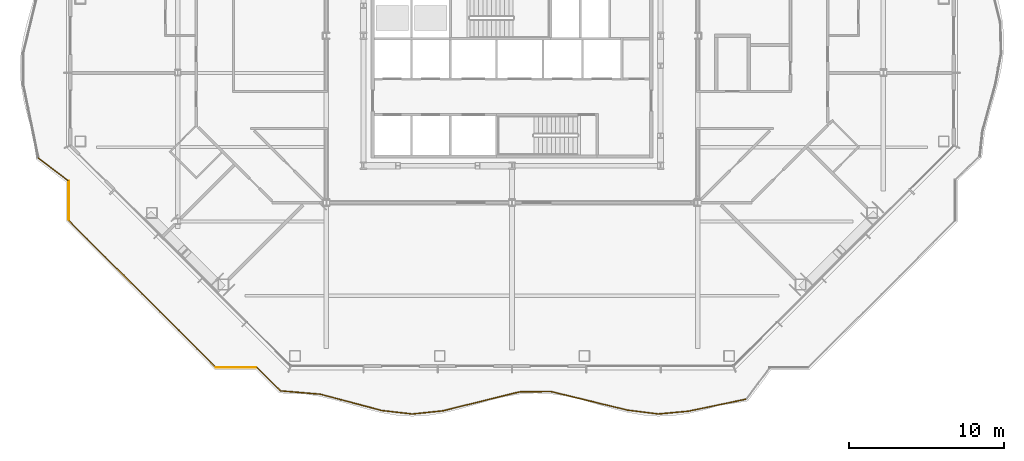
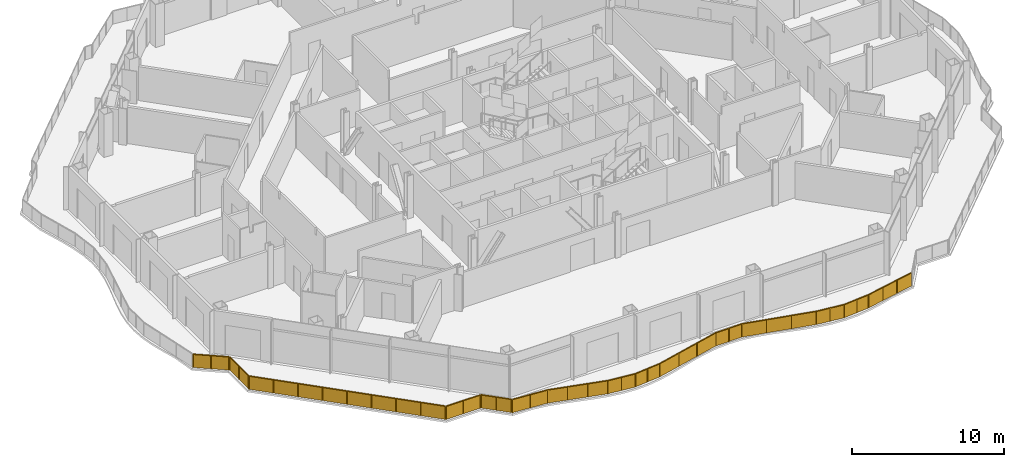
# One storey, part 17 of 24: 6 railings.
"""IFC4 building model written with IfcOpenShell, lengths in metres."""

from ifc_helpers import new_model, si_unit, direction, frame, origin, origin_2d, place, context, subcontext, project, spatial, polyline, rectangle, outline, extrude, material, type_object, element, save


model = new_model("IFC4")

# Units and contexts
model_context = context("Model", 3, precision=1e-05, world=origin(), true_north=direction((0.0, 1.0)))
body_context = subcontext(model_context, "Body", "Model", "MODEL_VIEW")
ifc_project = project(units=[si_unit("LENGTHUNIT", "METRE"), si_unit("AREAUNIT", "SQUARE_METRE"), si_unit("VOLUMEUNIT", "CUBIC_METRE"), si_unit("PLANEANGLEUNIT", "RADIAN"), si_unit("MASSUNIT", "GRAM", prefix="KILO")], contexts=[model_context])

# Site, building, storey
site_placement = place(None, origin())
site = spatial("IfcSite", under=ifc_project, at=site_placement, CompositionType="ELEMENT")
building_placement = place(site_placement, origin())
building = spatial("IfcBuilding", under=site, at=building_placement, Name="Cairn Pilgrim Tower", CompositionType="ELEMENT")
storey_placement = place(building_placement, frame((0.0, 0.0, 125.39990234375)))
storey = spatial("IfcBuildingStorey", under=building, at=storey_placement, Name="L30", CompositionType="ELEMENT", Elevation=125.39990234375)

# Railings
ifc_material = material(Name="Bronze anodised aluminium rail and posts with laminated glass infill", Category="aluminium")
railing_type = type_object("IfcRailingType", Name="BALCONY GUARD 1100", PredefinedType="GUARDRAIL", material=ifc_material)
railing_1_placement = place(storey_placement, frame((-23.402099609375, -5.51708984375, 0.0)))
element("IfcRailing", 1, at=railing_1_placement, inside=storey, type_object=railing_type, Name="Balcony guard BG-19", PredefinedType="GUARDRAIL", context=body_context, shape_type="SweptSolid", body=[
    extrude(rectangle(XDim=0.050048828125, YDim=0.050048828125, at=origin_2d()), frame((0.0, 0.0, 1.0751953125), z_axis=(0.796408067553, -0.604759613348, 0.0), x_axis=(0.604759613348, 0.796408067553, 0.0)), (0.0, 0.0, 1.0), 2.39111328125),
    extrude(rectangle(XDim=0.050048828125, YDim=0.050048828125, at=origin_2d()), origin(), (0.0, 0.0, 1.0), 1.050048828125),
    extrude(rectangle(XDim=0.050048828125, YDim=0.050048828125, at=origin_2d()), frame((0.9521484375, -0.722900390625, 0.0)), (0.0, 0.0, 1.0), 1.050048828125),
    extrude(rectangle(XDim=0.050048828125, YDim=0.050048828125, at=origin_2d()), frame((1.904296875, -1.446044921875, 0.0)), (0.0, 0.0, 1.0), 1.050048828125),
    extrude(outline(polyline([(0.02490234375, 0.0), (1.17041015625, 0.0), (1.17041015625, 1.050048828125), (0.02490234375, 1.050048828125), (0.02490234375, 0.0)])), frame((0.003662109375, 0.0048828125, 0.0), z_axis=(-0.604759613348, -0.796408067553, 0.0), x_axis=(0.796408067553, -0.604759613348, 0.0)), (0.0, 0.0, 1.0), 0.011962890625),
    extrude(outline(polyline([(0.02490234375, 0.0), (1.17041015625, 0.0), (1.17041015625, 1.050048828125), (0.02490234375, 1.050048828125), (0.02490234375, 0.0)])), frame((0.955810546875, -0.71826171875, 0.0), z_axis=(-0.604759613348, -0.796408067553, 0.0), x_axis=(0.796408067553, -0.604759613348, 0.0)), (0.0, 0.0, 1.0), 0.011962890625),
])
railing_2_placement = place(storey_placement, frame((-21.449951171875, -6.99951171875, 0.0)))
element("IfcRailing", 2, at=railing_2_placement, inside=storey, type_object=railing_type, Name="Balcony guard BG-20", PredefinedType="GUARDRAIL", context=body_context, shape_type="SweptSolid", body=[
    extrude(rectangle(XDim=0.050048828125, YDim=0.050048828125, at=origin_2d()), frame((0.0, 0.0, 1.0751953125), z_axis=(0.0, -1.0, 0.0), x_axis=(1.0, 0.0, 0.0)), (0.0, 0.0, 1.0), 2.478271484375),
    extrude(rectangle(XDim=0.050048828125, YDim=0.050048828125, at=origin_2d()), origin(), (0.0, 0.0, 1.0), 1.050048828125),
    extrude(rectangle(XDim=0.050048828125, YDim=0.050048828125, at=origin_2d()), frame((0.0, -1.2392578125, 0.0)), (0.0, 0.0, 1.0), 1.050048828125),
    extrude(rectangle(XDim=0.050048828125, YDim=0.050048828125, at=origin_2d()), frame((0.0, -2.478271484375, 0.0)), (0.0, 0.0, 1.0), 1.050048828125),
    extrude(outline(polyline([(0.02490234375, 0.0), (1.214111328125, 0.0), (1.214111328125, 1.050048828125), (0.02490234375, 1.050048828125), (0.02490234375, 0.0)])), frame((0.005859375, 0.0, 0.0), z_axis=(-1.0, 0.0, 0.0), x_axis=(0.0, -1.0, 0.0)), (0.0, 0.0, 1.0), 0.011962890625),
    extrude(outline(polyline([(0.02490234375, 0.0), (1.214111328125, 0.0), (1.214111328125, 1.050048828125), (0.02490234375, 1.050048828125), (0.02490234375, 0.0)])), frame((0.005859375, -1.2392578125, 0.0), z_axis=(-1.0, 0.0, 0.0), x_axis=(0.0, -1.0, 0.0)), (0.0, 0.0, 1.0), 0.011962890625),
])
railing_3_placement = place(storey_placement, frame((-21.449951171875, -9.537841796875, 0.0)))
element("IfcRailing", 3, at=railing_3_placement, inside=storey, type_object=railing_type, Name="Balcony guard BG-21", PredefinedType="GUARDRAIL", context=body_context, shape_type="SweptSolid", body=[
    extrude(rectangle(XDim=0.050048828125, YDim=0.050048828125, at=origin_2d()), frame((0.0, 0.0, 1.0751953125), z_axis=(0.707106781187, -0.707106781187, 0.0), x_axis=(0.707106781187, 0.707106781187, 0.0)), (0.0, 0.0, 1.0), 13.392333984375),
    extrude(rectangle(XDim=0.050048828125, YDim=0.050048828125, at=origin_2d()), origin(), (0.0, 0.0, 1.0), 1.050048828125),
    extrude(rectangle(XDim=0.050048828125, YDim=0.050048828125, at=origin_2d()), frame((1.18359375, -1.18359375, 0.0)), (0.0, 0.0, 1.0), 1.050048828125),
    extrude(rectangle(XDim=0.050048828125, YDim=0.050048828125, at=origin_2d()), frame((2.367431640625, -2.367431640625, 0.0)), (0.0, 0.0, 1.0), 1.050048828125),
    extrude(rectangle(XDim=0.050048828125, YDim=0.050048828125, at=origin_2d()), frame((3.55126953125, -3.55126953125, 0.0)), (0.0, 0.0, 1.0), 1.050048828125),
    extrude(rectangle(XDim=0.050048828125, YDim=0.050048828125, at=origin_2d()), frame((4.73486328125, -4.73486328125, 0.0)), (0.0, 0.0, 1.0), 1.050048828125),
    extrude(rectangle(XDim=0.050048828125, YDim=0.050048828125, at=origin_2d()), frame((5.91845703125, -5.91845703125, 0.0)), (0.0, 0.0, 1.0), 1.050048828125),
    extrude(rectangle(XDim=0.050048828125, YDim=0.050048828125, at=origin_2d()), frame((7.102294921875, -7.102294921875, 0.0)), (0.0, 0.0, 1.0), 1.050048828125),
    extrude(rectangle(XDim=0.050048828125, YDim=0.050048828125, at=origin_2d()), frame((8.2861328125, -8.2861328125, 0.0)), (0.0, 0.0, 1.0), 1.050048828125),
    extrude(rectangle(XDim=0.050048828125, YDim=0.050048828125, at=origin_2d()), frame((9.4697265625, -9.4697265625, 0.0)), (0.0, 0.0, 1.0), 1.050048828125),
    extrude(outline(polyline([(0.02490234375, 0.0), (1.64892578125, 0.0), (1.64892578125, 1.050048828125), (0.02490234375, 1.050048828125), (0.02490234375, 0.0)])), frame((0.004150390625, 0.004150390625, 0.0), z_axis=(-0.707106781187, -0.707106781187, 0.0), x_axis=(0.707106781187, -0.707106781187, 0.0)), (0.0, 0.0, 1.0), 0.011962890625),
    extrude(outline(polyline([(0.02490234375, 0.0), (1.64892578125, 0.0), (1.64892578125, 1.050048828125), (0.02490234375, 1.050048828125), (0.02490234375, 0.0)])), frame((1.18798828125, -1.179443359375, 0.0), z_axis=(-0.707106781187, -0.707106781187, 0.0), x_axis=(0.707106781187, -0.707106781187, 0.0)), (0.0, 0.0, 1.0), 0.011962890625),
    extrude(outline(polyline([(0.02490234375, 0.0), (1.64892578125, 0.0), (1.64892578125, 1.050048828125), (0.02490234375, 1.050048828125), (0.02490234375, 0.0)])), frame((2.37158203125, -2.36328125, 0.0), z_axis=(-0.707106781187, -0.707106781187, 0.0), x_axis=(0.707106781187, -0.707106781187, 0.0)), (0.0, 0.0, 1.0), 0.011962890625),
    extrude(outline(polyline([(0.02490234375, 0.0), (1.64892578125, 0.0), (1.64892578125, 1.050048828125), (0.02490234375, 1.050048828125), (0.02490234375, 0.0)])), frame((3.555419921875, -3.546875, 0.0), z_axis=(-0.707106781187, -0.707106781187, 0.0), x_axis=(0.707106781187, -0.707106781187, 0.0)), (0.0, 0.0, 1.0), 0.011962890625),
    extrude(outline(polyline([(0.02490234375, 0.0), (1.64892578125, 0.0), (1.64892578125, 1.050048828125), (0.02490234375, 1.050048828125), (0.02490234375, 0.0)])), frame((4.739013671875, -4.730712890625, 0.0), z_axis=(-0.707106781187, -0.707106781187, 0.0), x_axis=(0.707106781187, -0.707106781187, 0.0)), (0.0, 0.0, 1.0), 0.011962890625),
    extrude(outline(polyline([(0.02490234375, 0.0), (1.64892578125, 0.0), (1.64892578125, 1.050048828125), (0.02490234375, 1.050048828125), (0.02490234375, 0.0)])), frame((5.9228515625, -5.914306640625, 0.0), z_axis=(-0.707106781187, -0.707106781187, 0.0), x_axis=(0.707106781187, -0.707106781187, 0.0)), (0.0, 0.0, 1.0), 0.011962890625),
    extrude(outline(polyline([(0.02490234375, 0.0), (1.64892578125, 0.0), (1.64892578125, 1.050048828125), (0.02490234375, 1.050048828125), (0.02490234375, 0.0)])), frame((7.1064453125, -7.09814453125, 0.0), z_axis=(-0.707106781187, -0.707106781187, 0.0), x_axis=(0.707106781187, -0.707106781187, 0.0)), (0.0, 0.0, 1.0), 0.011962890625),
    extrude(outline(polyline([(0.02490234375, 0.0), (1.64892578125, 0.0), (1.64892578125, 1.050048828125), (0.02490234375, 1.050048828125), (0.02490234375, 0.0)])), frame((8.290283203125, -8.28173828125, 0.0), z_axis=(-0.707106781187, -0.707106781187, 0.0), x_axis=(0.707106781187, -0.707106781187, 0.0)), (0.0, 0.0, 1.0), 0.011962890625),
])
railing_4_placement = place(storey_placement, frame((-11.93798828125, -19.050048828125, 0.0)))
element("IfcRailing", 4, at=railing_4_placement, inside=storey, type_object=railing_type, Name="Balcony guard BG-22", PredefinedType="GUARDRAIL", context=body_context, shape_type="SweptSolid", body=[
    extrude(rectangle(XDim=0.050048828125, YDim=0.050048828125, at=origin_2d()), frame((0.0, 0.0, 1.0751953125), z_axis=(1.0, 0.0, 0.0), x_axis=(0.0, 1.0, 0.0)), (0.0, 0.0, 1.0), 2.596923828125),
    extrude(rectangle(XDim=0.050048828125, YDim=0.050048828125, at=origin_2d()), origin(), (0.0, 0.0, 1.0), 1.050048828125),
    extrude(rectangle(XDim=0.050048828125, YDim=0.050048828125, at=origin_2d()), frame((1.29833984375, 0.0, 0.0)), (0.0, 0.0, 1.0), 1.050048828125),
    extrude(rectangle(XDim=0.050048828125, YDim=0.050048828125, at=origin_2d()), frame((2.596923828125, 0.0, 0.0)), (0.0, 0.0, 1.0), 1.050048828125),
    extrude(outline(polyline([(0.02490234375, 0.0), (1.2734375, 0.0), (1.2734375, 1.050048828125), (0.02490234375, 1.050048828125), (0.02490234375, 0.0)])), frame((0.0, 0.005859375, 0.0), z_axis=(0.0, -1.0, 0.0), x_axis=(1.0, 0.0, 0.0)), (0.0, 0.0, 1.0), 0.011962890625),
    extrude(outline(polyline([(0.02490234375, 0.0), (1.2734375, 0.0), (1.2734375, 1.050048828125), (0.02490234375, 1.050048828125), (0.02490234375, 0.0)])), frame((1.29833984375, 0.005859375, 0.0), z_axis=(0.0, -1.0, 0.0), x_axis=(1.0, 0.0, 0.0)), (0.0, 0.0, 1.0), 0.011962890625),
])
railing_5_placement = place(storey_placement, frame((-9.28125, -19.050048828125, 0.0)))
element("IfcRailing", 5, at=railing_5_placement, inside=storey, type_object=railing_type, Name="Balcony guard BG-23", PredefinedType="GUARDRAIL", context=body_context, shape_type="SweptSolid", body=[
    extrude(rectangle(XDim=0.050048828125, YDim=0.050048828125, at=origin_2d()), frame((0.0, 0.0, 1.0751953125), z_axis=(0.712126914152, -0.702050751826, 0.0), x_axis=(0.702050751826, 0.712126914152, 0.0)), (0.0, 0.0, 1.0), 2.083740234375),
    extrude(rectangle(XDim=0.050048828125, YDim=0.050048828125, at=origin_2d()), origin(), (0.0, 0.0, 1.0), 1.050048828125),
    extrude(rectangle(XDim=0.050048828125, YDim=0.050048828125, at=origin_2d()), frame((0.741943359375, -0.7314453125, 0.0)), (0.0, 0.0, 1.0), 1.050048828125),
    extrude(rectangle(XDim=0.050048828125, YDim=0.050048828125, at=origin_2d()), frame((1.48388671875, -1.462890625, 0.0)), (0.0, 0.0, 1.0), 1.050048828125),
    extrude(outline(polyline([(0.02490234375, 0.0), (1.016845703125, 0.0), (1.016845703125, 1.050048828125), (0.02490234375, 1.050048828125), (0.02490234375, 0.0)])), frame((0.004150390625, 0.004150390625, 0.0), z_axis=(-0.702050751826, -0.712126914152, 0.0), x_axis=(0.712126914152, -0.702050751826, 0.0)), (0.0, 0.0, 1.0), 0.011962890625),
    extrude(outline(polyline([(0.02490234375, 0.0), (1.016845703125, 0.0), (1.016845703125, 1.050048828125), (0.02490234375, 1.050048828125), (0.02490234375, 0.0)])), frame((0.74609375, -0.727294921875, 0.0), z_axis=(-0.702050751826, -0.712126914152, 0.0), x_axis=(0.712126914152, -0.702050751826, 0.0)), (0.0, 0.0, 1.0), 0.011962890625),
])
railing_6_placement = place(storey_placement, frame((-7.754638671875, -20.554931640625, 0.0)))
element("IfcRailing", 6, at=railing_6_placement, inside=storey, type_object=railing_type, Name="Balcony guard BG-24", PredefinedType="GUARDRAIL", context=body_context, shape_type="SweptSolid", body=[
    extrude(rectangle(XDim=0.050048828125, YDim=0.050048828125, at=origin_2d()), frame((0.0, 0.0, 1.0751953125), z_axis=(0.996561431865, -0.082857181455, 0.0), x_axis=(0.082857181455, 0.996561431865, 0.0)), (0.0, 0.0, 1.0), 2.5751953125),
    extrude(rectangle(XDim=0.050048828125, YDim=0.050048828125, at=origin_2d()), frame((2.56640625, -0.21337890625, 1.0751953125), z_axis=(0.966494562134, -0.256687088426, 0.0), x_axis=(0.256687088426, 0.966494562134, 0.0)), (0.0, 0.0, 1.0), 4.112548828125),
    extrude(rectangle(XDim=0.050048828125, YDim=0.050048828125, at=origin_2d()), frame((6.541259765625, -1.26904296875, 1.0751953125), z_axis=(0.993477082591, -0.114031953273, 0.0), x_axis=(0.114031953273, 0.993477082591, 0.0)), (0.0, 0.0, 1.0), 1.971923828125),
    extrude(rectangle(XDim=0.050048828125, YDim=0.050048828125, at=origin_2d()), frame((8.500244140625, -1.493896484375, 1.0751953125), z_axis=(0.994709274099, 0.102730034662, 0.0), x_axis=(-0.102730034662, 0.994709274099, 0.0)), (0.0, 0.0, 1.0), 1.97021484375),
    extrude(rectangle(XDim=0.050048828125, YDim=0.050048828125, at=origin_2d()), frame((10.4599609375, -1.29150390625, 1.0751953125), z_axis=(0.970883835354, 0.23955078428, 0.0), x_axis=(-0.23955078428, 0.970883835354, 0.0)), (0.0, 0.0, 1.0), 5.121337890625),
    extrude(rectangle(XDim=0.050048828125, YDim=0.050048828125, at=origin_2d()), frame((15.43212890625, -0.064697265625, 1.0751953125), z_axis=(0.999922693009, 0.012434146732, 0.0), x_axis=(-0.012434146732, 0.999922693009, 0.0)), (0.0, 0.0, 1.0), 2.0224609375),
    extrude(rectangle(XDim=0.050048828125, YDim=0.050048828125, at=origin_2d()), frame((17.454345703125, -0.03955078125, 1.0751953125), z_axis=(0.971878554148, -0.235482644769, 0.0), x_axis=(0.235482644769, 0.971878554148, 0.0)), (0.0, 0.0, 1.0), 5.11962890625),
    extrude(rectangle(XDim=0.050048828125, YDim=0.050048828125, at=origin_2d()), frame((22.429931640625, -1.2451171875, 1.0751953125), z_axis=(0.992130914977, -0.125204822375, 0.0), x_axis=(0.125204822375, 0.992130914977, 0.0)), (0.0, 0.0, 1.0), 1.977294921875),
    extrude(rectangle(XDim=0.050048828125, YDim=0.050048828125, at=origin_2d()), frame((24.3916015625, -1.49267578125, 1.0751953125), z_axis=(0.995818705168, 0.091351554109, 0.0), x_axis=(-0.091351554109, 0.995818705168, 0.0)), (0.0, 0.0, 1.0), 1.9697265625),
    extrude(rectangle(XDim=0.050048828125, YDim=0.050048828125, at=origin_2d()), frame((26.35302734375, -1.312744140625, 1.0751953125), z_axis=(0.978820193558, 0.204721832455, 0.0), x_axis=(-0.204721832455, 0.978820193558, 0.0)), (0.0, 0.0, 1.0), 3.77197265625),
    extrude(rectangle(XDim=0.050048828125, YDim=0.050048828125, at=origin_2d()), origin(), (0.0, 0.0, 1.0), 1.050048828125),
    extrude(rectangle(XDim=0.050048828125, YDim=0.050048828125, at=origin_2d()), frame((1.283203125, -0.106689453125, 0.0)), (0.0, 0.0, 1.0), 1.050048828125),
    extrude(rectangle(XDim=0.050048828125, YDim=0.050048828125, at=origin_2d()), frame((2.56640625, -0.21337890625, 0.0)), (0.0, 0.0, 1.0), 1.050048828125),
    extrude(rectangle(XDim=0.050048828125, YDim=0.050048828125, at=origin_2d()), frame((3.891357421875, -0.565185546875, 0.0)), (0.0, 0.0, 1.0), 1.050048828125),
    extrude(rectangle(XDim=0.050048828125, YDim=0.050048828125, at=origin_2d()), frame((5.21630859375, -0.917236328125, 0.0)), (0.0, 0.0, 1.0), 1.050048828125),
    extrude(rectangle(XDim=0.050048828125, YDim=0.050048828125, at=origin_2d()), frame((6.541259765625, -1.26904296875, 0.0)), (0.0, 0.0, 1.0), 1.050048828125),
    extrude(rectangle(XDim=0.050048828125, YDim=0.050048828125, at=origin_2d()), frame((7.520751953125, -1.38134765625, 0.0)), (0.0, 0.0, 1.0), 1.050048828125),
    extrude(rectangle(XDim=0.050048828125, YDim=0.050048828125, at=origin_2d()), frame((8.500244140625, -1.493896484375, 0.0)), (0.0, 0.0, 1.0), 1.050048828125),
    extrude(rectangle(XDim=0.050048828125, YDim=0.050048828125, at=origin_2d()), frame((9.47998046875, -1.392578125, 0.0)), (0.0, 0.0, 1.0), 1.050048828125),
    extrude(rectangle(XDim=0.050048828125, YDim=0.050048828125, at=origin_2d()), frame((10.4599609375, -1.29150390625, 0.0)), (0.0, 0.0, 1.0), 1.050048828125),
    extrude(rectangle(XDim=0.050048828125, YDim=0.050048828125, at=origin_2d()), frame((12.117431640625, -0.882568359375, 0.0)), (0.0, 0.0, 1.0), 1.050048828125),
    extrude(rectangle(XDim=0.050048828125, YDim=0.050048828125, at=origin_2d()), frame((13.774658203125, -0.4736328125, 0.0)), (0.0, 0.0, 1.0), 1.050048828125),
    extrude(rectangle(XDim=0.050048828125, YDim=0.050048828125, at=origin_2d()), frame((15.43212890625, -0.064697265625, 0.0)), (0.0, 0.0, 1.0), 1.050048828125),
    extrude(rectangle(XDim=0.050048828125, YDim=0.050048828125, at=origin_2d()), frame((16.443359375, -0.05224609375, 0.0)), (0.0, 0.0, 1.0), 1.050048828125),
    extrude(rectangle(XDim=0.050048828125, YDim=0.050048828125, at=origin_2d()), frame((17.454345703125, -0.03955078125, 0.0)), (0.0, 0.0, 1.0), 1.050048828125),
    extrude(rectangle(XDim=0.050048828125, YDim=0.050048828125, at=origin_2d()), frame((19.11279296875, -0.44140625, 0.0)), (0.0, 0.0, 1.0), 1.050048828125),
    extrude(rectangle(XDim=0.050048828125, YDim=0.050048828125, at=origin_2d()), frame((20.771484375, -0.84326171875, 0.0)), (0.0, 0.0, 1.0), 1.050048828125),
    extrude(rectangle(XDim=0.050048828125, YDim=0.050048828125, at=origin_2d()), frame((22.429931640625, -1.2451171875, 0.0)), (0.0, 0.0, 1.0), 1.050048828125),
    extrude(rectangle(XDim=0.050048828125, YDim=0.050048828125, at=origin_2d()), frame((23.41064453125, -1.368896484375, 0.0)), (0.0, 0.0, 1.0), 1.050048828125),
    extrude(rectangle(XDim=0.050048828125, YDim=0.050048828125, at=origin_2d()), frame((24.3916015625, -1.49267578125, 0.0)), (0.0, 0.0, 1.0), 1.050048828125),
    extrude(rectangle(XDim=0.050048828125, YDim=0.050048828125, at=origin_2d()), frame((25.372314453125, -1.40283203125, 0.0)), (0.0, 0.0, 1.0), 1.050048828125),
    extrude(rectangle(XDim=0.050048828125, YDim=0.050048828125, at=origin_2d()), frame((26.35302734375, -1.312744140625, 0.0)), (0.0, 0.0, 1.0), 1.050048828125),
    extrude(rectangle(XDim=0.050048828125, YDim=0.050048828125, at=origin_2d()), frame((27.583740234375, -1.055419921875, 0.0)), (0.0, 0.0, 1.0), 1.050048828125),
    extrude(rectangle(XDim=0.050048828125, YDim=0.050048828125, at=origin_2d()), frame((28.814453125, -0.7978515625, 0.0)), (0.0, 0.0, 1.0), 1.050048828125),
    extrude(rectangle(XDim=0.050048828125, YDim=0.050048828125, at=origin_2d()), frame((30.045166015625, -0.54052734375, 0.0)), (0.0, 0.0, 1.0), 1.050048828125),
    extrude(outline(polyline([(0.02490234375, 0.0), (1.2626953125, 0.0), (1.2626953125, 1.050048828125), (0.02490234375, 1.050048828125), (0.02490234375, 0.0)])), frame((0.00048828125, 0.005859375, 0.0), z_axis=(-0.082857181455, -0.996561431865, 0.0), x_axis=(0.996561431865, -0.082857181455, 0.0)), (0.0, 0.0, 1.0), 0.011962890625),
    extrude(outline(polyline([(0.02490234375, 0.0), (1.2626953125, 0.0), (1.2626953125, 1.050048828125), (0.02490234375, 1.050048828125), (0.02490234375, 0.0)])), frame((1.28369140625, -0.100830078125, 0.0), z_axis=(-0.082857181455, -0.996561431865, 0.0), x_axis=(0.996561431865, -0.082857181455, 0.0)), (0.0, 0.0, 1.0), 0.011962890625),
    extrude(outline(polyline([(0.02490234375, 0.0), (1.345947265625, 0.0), (1.345947265625, 1.050048828125), (0.02490234375, 1.050048828125), (0.02490234375, 0.0)])), frame((2.56787109375, -0.20751953125, 0.0), z_axis=(-0.256687088426, -0.966494562134, 0.0), x_axis=(0.966494562134, -0.256687088426, 0.0)), (0.0, 0.0, 1.0), 0.011962890625),
    extrude(outline(polyline([(0.02490234375, 0.0), (1.345947265625, 0.0), (1.345947265625, 1.050048828125), (0.02490234375, 1.050048828125), (0.02490234375, 0.0)])), frame((3.892822265625, -0.5595703125, 0.0), z_axis=(-0.256687088426, -0.966494562134, 0.0), x_axis=(0.966494562134, -0.256687088426, 0.0)), (0.0, 0.0, 1.0), 0.011962890625),
    extrude(outline(polyline([(0.02490234375, 0.0), (1.345947265625, 0.0), (1.345947265625, 1.050048828125), (0.02490234375, 1.050048828125), (0.02490234375, 0.0)])), frame((5.2177734375, -0.911376953125, 0.0), z_axis=(-0.256687088426, -0.966494562134, 0.0), x_axis=(0.966494562134, -0.256687088426, 0.0)), (0.0, 0.0, 1.0), 0.011962890625),
    extrude(outline(polyline([(0.02490234375, 0.0), (0.9609375, 0.0), (0.9609375, 1.050048828125), (0.02490234375, 1.050048828125), (0.02490234375, 0.0)])), frame((6.5419921875, -1.26318359375, 0.0), z_axis=(-0.114031953273, -0.993477082591, 0.0), x_axis=(0.993477082591, -0.114031953273, 0.0)), (0.0, 0.0, 1.0), 0.011962890625),
    extrude(outline(polyline([(0.02490234375, 0.0), (0.9609375, 0.0), (0.9609375, 1.050048828125), (0.02490234375, 1.050048828125), (0.02490234375, 0.0)])), frame((7.521484375, -1.37548828125, 0.0), z_axis=(-0.114031953273, -0.993477082591, 0.0), x_axis=(0.993477082591, -0.114031953273, 0.0)), (0.0, 0.0, 1.0), 0.011962890625),
    extrude(outline(polyline([(0.02490234375, 0.0), (0.9599609375, 0.0), (0.9599609375, 1.050048828125), (0.02490234375, 1.050048828125), (0.02490234375, 0.0)])), frame((8.49951171875, -1.488037109375, 0.0), z_axis=(0.102730034662, -0.994709274099, 0.0), x_axis=(0.994709274099, 0.102730034662, 0.0)), (0.0, 0.0, 1.0), 0.011962890625),
    extrude(outline(polyline([(0.02490234375, 0.0), (0.9599609375, 0.0), (0.9599609375, 1.050048828125), (0.02490234375, 1.050048828125), (0.02490234375, 0.0)])), frame((9.4794921875, -1.38671875, 0.0), z_axis=(0.102730034662, -0.994709274099, 0.0), x_axis=(0.994709274099, 0.102730034662, 0.0)), (0.0, 0.0, 1.0), 0.011962890625),
    extrude(outline(polyline([(0.02490234375, 0.0), (1.68212890625, 0.0), (1.68212890625, 1.050048828125), (0.02490234375, 1.050048828125), (0.02490234375, 0.0)])), frame((10.45849609375, -1.28564453125, 0.0), z_axis=(0.23955078428, -0.970883835354, 0.0), x_axis=(0.970883835354, 0.23955078428, 0.0)), (0.0, 0.0, 1.0), 0.011962890625),
    extrude(outline(polyline([(0.02490234375, 0.0), (1.68212890625, 0.0), (1.68212890625, 1.050048828125), (0.02490234375, 1.050048828125), (0.02490234375, 0.0)])), frame((12.115966796875, -0.876708984375, 0.0), z_axis=(0.23955078428, -0.970883835354, 0.0), x_axis=(0.970883835354, 0.23955078428, 0.0)), (0.0, 0.0, 1.0), 0.011962890625),
    extrude(outline(polyline([(0.02490234375, 0.0), (1.68212890625, 0.0), (1.68212890625, 1.050048828125), (0.02490234375, 1.050048828125), (0.02490234375, 0.0)])), frame((13.773193359375, -0.4677734375, 0.0), z_axis=(0.23955078428, -0.970883835354, 0.0), x_axis=(0.970883835354, 0.23955078428, 0.0)), (0.0, 0.0, 1.0), 0.011962890625),
    extrude(outline(polyline([(0.02490234375, 0.0), (0.986083984375, 0.0), (0.986083984375, 1.050048828125), (0.02490234375, 1.050048828125), (0.02490234375, 0.0)])), frame((15.43212890625, -0.058837890625, 0.0), z_axis=(0.012434146732, -0.999922693009, 0.0), x_axis=(0.999922693009, 0.012434146732, 0.0)), (0.0, 0.0, 1.0), 0.011962890625),
    extrude(outline(polyline([(0.02490234375, 0.0), (0.986083984375, 0.0), (0.986083984375, 1.050048828125), (0.02490234375, 1.050048828125), (0.02490234375, 0.0)])), frame((16.443115234375, -0.046142578125, 0.0), z_axis=(0.012434146732, -0.999922693009, 0.0), x_axis=(0.999922693009, 0.012434146732, 0.0)), (0.0, 0.0, 1.0), 0.011962890625),
    extrude(outline(polyline([(0.02490234375, 0.0), (1.681396484375, 0.0), (1.681396484375, 1.050048828125), (0.02490234375, 1.050048828125), (0.02490234375, 0.0)])), frame((17.455810546875, -0.03369140625, 0.0), z_axis=(-0.235482644769, -0.971878554148, 0.0), x_axis=(0.971878554148, -0.235482644769, 0.0)), (0.0, 0.0, 1.0), 0.011962890625),
    extrude(outline(polyline([(0.02490234375, 0.0), (1.681396484375, 0.0), (1.681396484375, 1.050048828125), (0.02490234375, 1.050048828125), (0.02490234375, 0.0)])), frame((19.1142578125, -0.435546875, 0.0), z_axis=(-0.235482644769, -0.971878554148, 0.0), x_axis=(0.971878554148, -0.235482644769, 0.0)), (0.0, 0.0, 1.0), 0.011962890625),
    extrude(outline(polyline([(0.02490234375, 0.0), (1.681396484375, 0.0), (1.681396484375, 1.050048828125), (0.02490234375, 1.050048828125), (0.02490234375, 0.0)])), frame((20.772705078125, -0.83740234375, 0.0), z_axis=(-0.235482644769, -0.971878554148, 0.0), x_axis=(0.971878554148, -0.235482644769, 0.0)), (0.0, 0.0, 1.0), 0.011962890625),
    extrude(outline(polyline([(0.02490234375, 0.0), (0.963623046875, 0.0), (0.963623046875, 1.050048828125), (0.02490234375, 1.050048828125), (0.02490234375, 0.0)])), frame((22.4306640625, -1.2392578125, 0.0), z_axis=(-0.125204822375, -0.992130914977, 0.0), x_axis=(0.992130914977, -0.125204822375, 0.0)), (0.0, 0.0, 1.0), 0.011962890625),
    extrude(outline(polyline([(0.02490234375, 0.0), (0.963623046875, 0.0), (0.963623046875, 1.050048828125), (0.02490234375, 1.050048828125), (0.02490234375, 0.0)])), frame((23.41162109375, -1.363037109375, 0.0), z_axis=(-0.125204822375, -0.992130914977, 0.0), x_axis=(0.992130914977, -0.125204822375, 0.0)), (0.0, 0.0, 1.0), 0.011962890625),
    extrude(outline(polyline([(0.02490234375, 0.0), (0.959716796875, 0.0), (0.959716796875, 1.050048828125), (0.02490234375, 1.050048828125), (0.02490234375, 0.0)])), frame((24.39111328125, -1.48681640625, 0.0), z_axis=(0.091351554109, -0.995818705168, 0.0), x_axis=(0.995818705168, 0.091351554109, 0.0)), (0.0, 0.0, 1.0), 0.011962890625),
    extrude(outline(polyline([(0.02490234375, 0.0), (0.959716796875, 0.0), (0.959716796875, 1.050048828125), (0.02490234375, 1.050048828125), (0.02490234375, 0.0)])), frame((25.371826171875, -1.396728515625, 0.0), z_axis=(0.091351554109, -0.995818705168, 0.0), x_axis=(0.995818705168, 0.091351554109, 0.0)), (0.0, 0.0, 1.0), 0.011962890625),
    extrude(outline(polyline([(0.02490234375, 0.0), (1.232421875, 0.0), (1.232421875, 1.050048828125), (0.02490234375, 1.050048828125), (0.02490234375, 0.0)])), frame((26.351806640625, -1.306884765625, 0.0), z_axis=(0.204721832455, -0.978820193558, 0.0), x_axis=(0.978820193558, 0.204721832455, 0.0)), (0.0, 0.0, 1.0), 0.011962890625),
    extrude(outline(polyline([(0.02490234375, 0.0), (1.232421875, 0.0), (1.232421875, 1.050048828125), (0.02490234375, 1.050048828125), (0.02490234375, 0.0)])), frame((27.58251953125, -1.049560546875, 0.0), z_axis=(0.204721832455, -0.978820193558, 0.0), x_axis=(0.978820193558, 0.204721832455, 0.0)), (0.0, 0.0, 1.0), 0.011962890625),
    extrude(outline(polyline([(0.02490234375, 0.0), (1.232421875, 0.0), (1.232421875, 1.050048828125), (0.02490234375, 1.050048828125), (0.02490234375, 0.0)])), frame((28.813232421875, -0.7919921875, 0.0), z_axis=(0.204721832455, -0.978820193558, 0.0), x_axis=(0.978820193558, 0.204721832455, 0.0)), (0.0, 0.0, 1.0), 0.011962890625),
])

save(model, "model.ifc")
